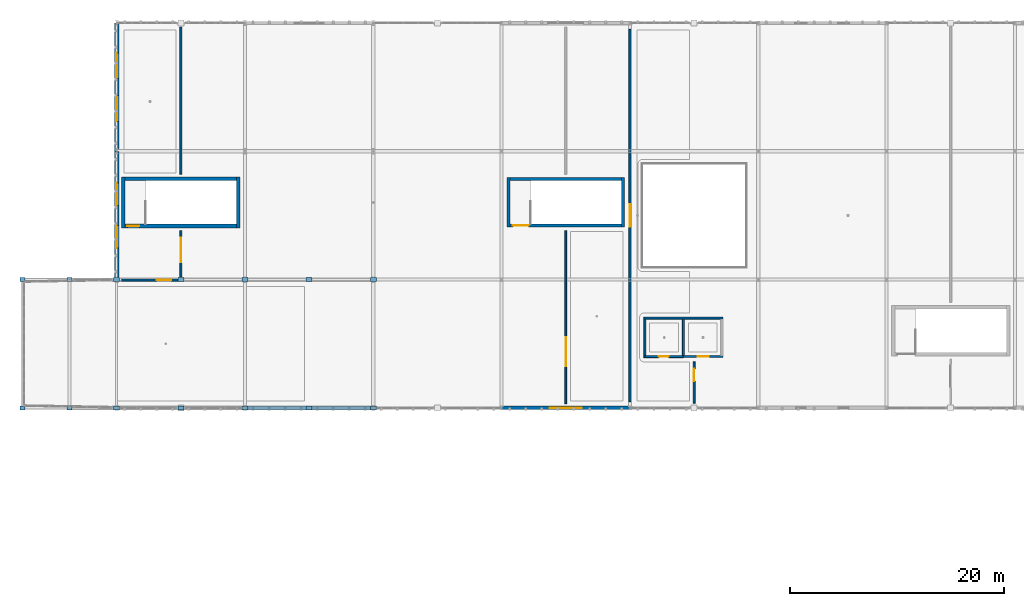
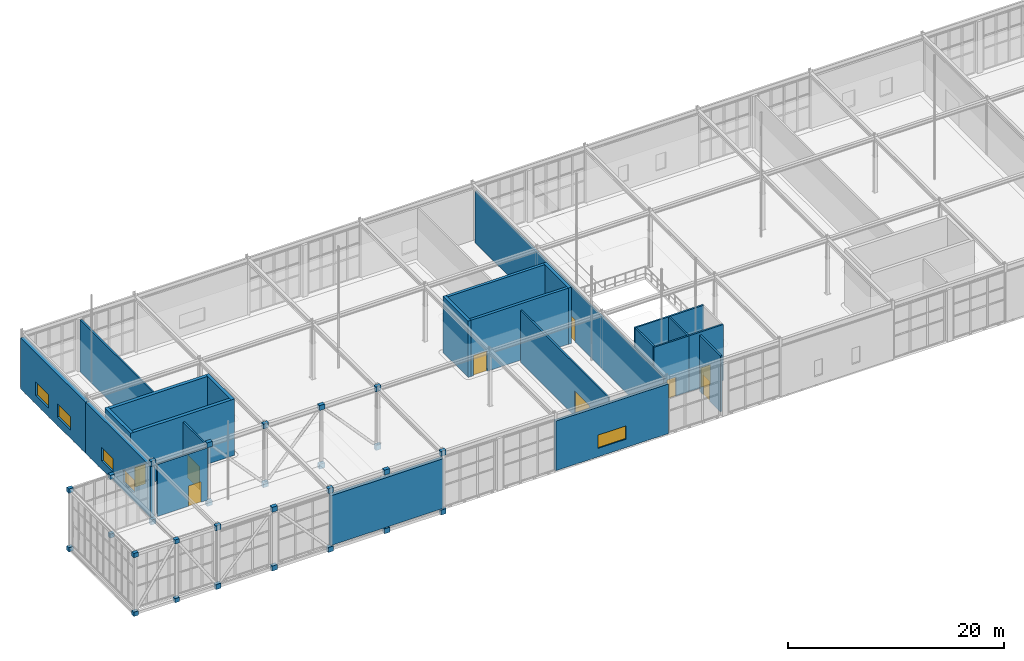
# One storey, part 37 of 62: 28 plates, 23 walls, 9 doors, 5 windows, 14 openings.
"""IFC4 building model written with IfcOpenShell, lengths in metres."""

from ifc_helpers import new_model, si_unit, direction, frame, frame_2d, origin, origin_2d, place, context, subcontext, project, spatial, rectangle, extrude, material, layer, layer_set, type_object, element, fill, save


model = new_model("IFC4")

# Units and contexts
model_context = context("Model", 3, precision=1e-05, world=origin(), true_north=direction((0.0, 1.0)))
body_context = subcontext(model_context, "Body", "Model", "MODEL_VIEW")
ifc_project = project(units=[si_unit("LENGTHUNIT", "METRE"), si_unit("AREAUNIT", "SQUARE_METRE"), si_unit("VOLUMEUNIT", "CUBIC_METRE"), si_unit("PLANEANGLEUNIT", "RADIAN"), si_unit("MASSUNIT", "GRAM", prefix="KILO")], contexts=[model_context])

# Site, building, storey
site_placement = place(None, origin())
site = spatial("IfcSite", under=ifc_project, at=site_placement, CompositionType="ELEMENT")
building_placement = place(site_placement, origin())
building = spatial("IfcBuilding", under=site, at=building_placement, Name="Zlatogorsky Bluff Art Gallery", CompositionType="ELEMENT")
storey_placement = place(building_placement, frame((0.0, 0.0, 16.800048828125)))
storey = spatial("IfcBuildingStorey", under=building, at=storey_placement, Name="L03", CompositionType="ELEMENT", Elevation=16.800048828125)

# Plates
ifc_material_1 = material(Name="Steel S355", Category="steel")
ifc_layer_1 = layer(ifc_material_1, 0.02490234375)
ifc_layer_set_1 = layer_set([ifc_layer_1], Name="Node Plate GP-01")
plate_type_1 = type_object("IfcPlateType", Name="Node Plate GP-01", PredefinedType="USERDEFINED", material=ifc_layer_set_1)
for number, where, z_axis, x_axis, name in (
    (1, (0.0, 84.0, -0.695068359375), (0.0, 0.0, 1.0), (1.0, 0.0, 0.0), "Cantilever truss bottom node assembly S.3"),
    (2, (0.0, 84.0, 5.9248046875), (0.0, 0.0, 1.0), (1.0, 0.0, 0.0), "Cantilever truss top node assembly S.3"),
    (3, (6.0, 84.0, -0.695068359375), (0.0, 0.0, 1.0), (1.0, 0.0, 0.0), "Cantilever truss bottom node assembly S.4"),
    (4, (6.0, 84.0, 5.9248046875), (0.0, 0.0, 1.0), (1.0, 0.0, 0.0), "Cantilever truss top node assembly S.4"),
    (5, (12.0, 84.0, -0.695068359375), (0.0, 0.0, 1.0), (1.0, 0.0, 0.0), "Cantilever truss bottom node assembly S.5"),
    (6, (12.0, 84.0, 5.9248046875), (0.0, 0.0, 1.0), (1.0, 0.0, 0.0), "Cantilever truss top node assembly S.5"),
    (7, (18.0, 84.0, -0.695068359375), (0.0, 0.0, 1.0), (1.0, 0.0, 0.0), "Cantilever truss bottom node assembly S.6"),
    (8, (18.0, 84.0, 5.9248046875), (0.0, 0.0, 1.0), (1.0, 0.0, 0.0), "Cantilever truss top node assembly S.6"),
    (9, (24.0, 84.0, -0.695068359375), (0.0, 0.0, 1.0), (1.0, 0.0, 0.0), "Cantilever truss bottom node assembly S.7"),
    (10, (24.0, 84.0, 5.9248046875), (0.0, 0.0, 1.0), (1.0, 0.0, 0.0), "Cantilever truss top node assembly S.7"),
    (11, (0.0, 96.0, -0.695068359375), (0.0, 0.0, 1.0), (1.0, 0.0, 0.0), "Cantilever truss bottom node assembly N.3"),
    (12, (0.0, 96.0, 5.9248046875), (0.0, 0.0, 1.0), (1.0, 0.0, 0.0), "Cantilever truss top node assembly N.3"),
    (13, (6.0, 96.0, -0.695068359375), (0.0, 0.0, 1.0), (1.0, 0.0, 0.0), "Cantilever truss bottom node assembly N.4"),
    (14, (6.0, 96.0, 5.9248046875), (0.0, 0.0, 1.0), (1.0, 0.0, 0.0), "Cantilever truss top node assembly N.4"),
    (15, (12.0, 96.0, -0.695068359375), (0.0, 0.0, 1.0), (1.0, 0.0, 0.0), "Cantilever truss bottom node assembly N.5"),
    (16, (12.0, 96.0, 5.9248046875), (0.0, 0.0, 1.0), (1.0, 0.0, 0.0), "Cantilever truss top node assembly N.5"),
    (17, (18.0, 96.0, -0.695068359375), (0.0, 0.0, 1.0), (1.0, 0.0, 0.0), "Cantilever truss bottom node assembly N.6"),
    (18, (18.0, 96.0, 5.9248046875), (0.0, 0.0, 1.0), (1.0, 0.0, 0.0), "Cantilever truss top node assembly N.6"),
    (19, (24.0, 96.0, -0.695068359375), (0.0, 0.0, 1.0), (1.0, 0.0, 0.0), "Cantilever truss bottom node assembly N.7"),
    (20, (24.0, 96.0, 5.9248046875), (0.0, 0.0, 1.0), (1.0, 0.0, 0.0), "Cantilever truss top node assembly N.7"),
):
    element("IfcPlate", number, at=place(storey_placement, frame(where, z_axis=z_axis, x_axis=x_axis)), inside=storey, type_object=plate_type_1, Name=name, ObjectType="GUSSET PLATE", PredefinedType="USERDEFINED", context=body_context, shape_type="SweptSolid", body=[
        extrude(rectangle(XDim=0.56005859375, YDim=0.3798828125, at=origin_2d()), origin(), (0.0, 0.0, 1.0), 0.56005859375),
    ])
ifc_layer_2 = layer(ifc_material_1, 0.02197265625)
ifc_layer_set_2 = layer_set([ifc_layer_2], Name="Node Plate GP-02")
plate_type_2 = type_object("IfcPlateType", Name="Node Plate GP-02", PredefinedType="USERDEFINED", material=ifc_layer_set_2)
for number, where, z_axis, x_axis, name in (
    (21, (-8.800048828125, 84.0, -0.655029296875), (0.0, 0.0, 1.0), (1.0, 0.0, 0.0), "Cantilever truss bottom node assembly S.1"),
    (22, (-8.800048828125, 84.0, 5.96484375), (0.0, 0.0, 1.0), (1.0, 0.0, 0.0), "Cantilever truss top node assembly S.1"),
    (23, (-4.39990234375, 84.0, -0.655029296875), (0.0, 0.0, 1.0), (1.0, 0.0, 0.0), "Cantilever truss bottom node assembly S.2"),
    (24, (-4.39990234375, 84.0, 5.96484375), (0.0, 0.0, 1.0), (1.0, 0.0, 0.0), "Cantilever truss top node assembly S.2"),
    (25, (-8.800048828125, 96.0, -0.655029296875), (0.0, 0.0, 1.0), (1.0, 0.0, 0.0), "Cantilever truss bottom node assembly N.1"),
    (26, (-8.800048828125, 96.0, 5.96484375), (0.0, 0.0, 1.0), (1.0, 0.0, 0.0), "Cantilever truss top node assembly N.1"),
    (27, (-4.39990234375, 96.0, -0.655029296875), (0.0, 0.0, 1.0), (1.0, 0.0, 0.0), "Cantilever truss bottom node assembly N.2"),
    (28, (-4.39990234375, 96.0, 5.96484375), (0.0, 0.0, 1.0), (1.0, 0.0, 0.0), "Cantilever truss top node assembly N.2"),
):
    element("IfcPlate", number, at=place(storey_placement, frame(where, z_axis=z_axis, x_axis=x_axis)), inside=storey, type_object=plate_type_2, Name=name, ObjectType="GUSSET PLATE", PredefinedType="USERDEFINED", context=body_context, shape_type="SweptSolid", body=[
        extrude(rectangle(XDim=0.47998046875, YDim=0.3798828125, at=origin_2d()), origin(), (0.0, 0.0, 1.0), 0.47998046875),
    ])

# Wall, openings, windows
ifc_material_2 = material(Name="Precast concrete C40/50", Category="concrete")
ifc_layer_3 = layer(ifc_material_2, 0.39990234375)
ifc_layer_set_3 = layer_set([ifc_layer_3], Name="Exterior Wall EW-02 400mm")
wall_type_1 = type_object("IfcWallType", Name="Exterior Wall EW-02 400mm", PredefinedType="SOLIDWALL", material=ifc_layer_set_3)
wall_1_placement = place(storey_placement, frame((0.0, 108.0, 0.0), z_axis=(0.0, 0.0, 1.0), x_axis=(0.0, -1.0, 0.0)))
wall_1 = element("IfcWall", 29, at=wall_1_placement, inside=storey, type_object=wall_type_1, Name="Exterior wall EW-02 L03 W 0.9", PredefinedType="SOLIDWALL", context=body_context, shape_type="SweptSolid", body=[
    extrude(rectangle(XDim=12.0, YDim=0.39990234375, at=frame_2d((6.0, 0.0))), origin(), (0.0, 0.0, 1.0), 5.75),
])
opening_1_placement = place(wall_1_placement, frame((2.949951171875, 0.0, 0.949951171875)))
opening_1 = element("IfcOpeningElement", 30, at=opening_1_placement, cuts=wall_1, Name="Opening WN-08", PredefinedType="OPENING", context=body_context, shape_type="SweptSolid", body=[
    extrude(rectangle(XDim=2.10009765625, YDim=1.5, at=frame_2d((1.050048828125, 0.75))), frame((0.0, 0.2099609375, 0.0), z_axis=(0.0, -1.0, 0.0), x_axis=(1.0, 0.0, 0.0)), (0.0, 0.0, 1.0), 0.419921875),
])
opening_2_placement = place(wall_1_placement, frame((6.949951171875, 0.0, 0.949951171875)))
opening_2 = element("IfcOpeningElement", 31, at=opening_2_placement, cuts=wall_1, Name="Opening WN-08", PredefinedType="OPENING", context=body_context, shape_type="SweptSolid", body=[
    extrude(rectangle(XDim=2.10009765625, YDim=1.5, at=frame_2d((1.050048828125, 0.75))), frame((0.0, 0.2099609375, 0.0), z_axis=(0.0, -1.0, 0.0), x_axis=(1.0, 0.0, 0.0)), (0.0, 0.0, 1.0), 0.419921875),
])
ifc_material_3 = material(Name="Bronze-Anodised Aluminium Triple Glazing", Category="aluminium")
window_type_1 = type_object("IfcWindowType", Name="Pointed-Reveal Window WN-08 2100x1500", PartitioningType="SINGLE_PANEL", PredefinedType="WINDOW", material=ifc_material_3)
window_1_placement = place(opening_1_placement, origin())
window_1 = element("IfcWindow", 32, at=window_1_placement, inside=storey, type_object=window_type_1, Name="Window WN-08 L03.W.0.9.1", OverallHeight=1.5, OverallWidth=2.10009765625, PartitioningType="SINGLE_PANEL", PredefinedType="WINDOW", context=body_context, shape_type="SweptSolid", body=[
    extrude(rectangle(XDim=2.10009765625, YDim=1.5, at=frame_2d((1.050048828125, 0.75))), frame((0.0, 0.030029296875, 0.0), z_axis=(0.0, -1.0, 0.0), x_axis=(1.0, 0.0, 0.0)), (0.0, 0.0, 1.0), 0.06005859375),
])
fill(opening_1, window_1)
window_2_placement = place(opening_2_placement, origin())
window_2 = element("IfcWindow", 33, at=window_2_placement, inside=storey, type_object=window_type_1, Name="Window WN-08 L03.W.0.9.2", OverallHeight=1.5, OverallWidth=2.10009765625, PartitioningType="SINGLE_PANEL", PredefinedType="WINDOW", context=body_context, shape_type="SweptSolid", body=[
    extrude(rectangle(XDim=2.10009765625, YDim=1.5, at=frame_2d((1.050048828125, 0.75))), frame((0.0, 0.030029296875, 0.0), z_axis=(0.0, -1.0, 0.0), x_axis=(1.0, 0.0, 0.0)), (0.0, 0.0, 1.0), 0.06005859375),
])
fill(opening_2, window_2)

# Wall
wall_2_placement = place(storey_placement, frame((12.0, 84.0, 0.0), z_axis=(0.0, 0.0, 1.0), x_axis=(1.0, 0.0, 0.0)))
element("IfcWall", 34, at=wall_2_placement, inside=storey, type_object=wall_type_1, Name="Exterior wall EW-02 L03 S 1.8", PredefinedType="SOLIDWALL", context=body_context, shape_type="SweptSolid", body=[
    extrude(rectangle(XDim=12.0, YDim=0.39990234375, at=frame_2d((6.0, 0.0))), origin(), (0.0, 0.0, 1.0), 5.599853515625),
])

# Wall, openings, windows
ifc_layer_4 = layer(ifc_material_2, 0.43994140625)
ifc_layer_set_4 = layer_set([ifc_layer_4], Name="Exterior Wall EW-03 440mm")
wall_type_2 = type_object("IfcWallType", Name="Exterior Wall EW-03 440mm", PredefinedType="SOLIDWALL", material=ifc_layer_set_4)
wall_3_placement = place(storey_placement, frame((0.0, 120.0, 0.0), z_axis=(0.0, 0.0, 1.0), x_axis=(0.0, -1.0, 0.0)))
wall_3 = element("IfcWall", 35, at=wall_3_placement, inside=storey, type_object=wall_type_2, Name="Exterior wall EW-03 L03 W 0.10", PredefinedType="SOLIDWALL", context=body_context, shape_type="SweptSolid", body=[
    extrude(rectangle(XDim=12.0, YDim=0.43994140625, at=frame_2d((6.0, 0.0))), origin(), (0.0, 0.0, 1.0), 5.75),
])
opening_3_placement = place(wall_3_placement, frame((2.800048828125, 0.0, 0.949951171875)))
opening_3 = element("IfcOpeningElement", 36, at=opening_3_placement, cuts=wall_3, Name="Opening WN-09", PredefinedType="OPENING", context=body_context, shape_type="SweptSolid", body=[
    extrude(rectangle(XDim=2.39990234375, YDim=1.5, at=frame_2d((1.199951171875, 0.75))), frame((0.0, 0.22998046875, 0.0), z_axis=(0.0, -1.0, 0.0), x_axis=(1.0, 0.0, 0.0)), (0.0, 0.0, 1.0), 0.4599609375),
])
opening_4_placement = place(wall_3_placement, frame((6.800048828125, 0.0, 0.949951171875)))
opening_4 = element("IfcOpeningElement", 37, at=opening_4_placement, cuts=wall_3, Name="Opening WN-09", PredefinedType="OPENING", context=body_context, shape_type="SweptSolid", body=[
    extrude(rectangle(XDim=2.39990234375, YDim=1.5, at=frame_2d((1.199951171875, 0.75))), frame((0.0, 0.22998046875, 0.0), z_axis=(0.0, -1.0, 0.0), x_axis=(1.0, 0.0, 0.0)), (0.0, 0.0, 1.0), 0.4599609375),
])
window_type_2 = type_object("IfcWindowType", Name="Pointed-Reveal Window WN-09 2400x1500", PartitioningType="SINGLE_PANEL", PredefinedType="WINDOW", material=ifc_material_3)
window_3_placement = place(opening_3_placement, origin())
window_3 = element("IfcWindow", 38, at=window_3_placement, inside=storey, type_object=window_type_2, Name="Window WN-09 L03.W.0.10.1", OverallHeight=1.5, OverallWidth=2.39990234375, PartitioningType="SINGLE_PANEL", PredefinedType="WINDOW", context=body_context, shape_type="SweptSolid", body=[
    extrude(rectangle(XDim=2.39990234375, YDim=1.5, at=frame_2d((1.199951171875, 0.75))), frame((0.0, 0.030029296875, 0.0), z_axis=(0.0, -1.0, 0.0), x_axis=(1.0, 0.0, 0.0)), (0.0, 0.0, 1.0), 0.06005859375),
])
fill(opening_3, window_3)
window_4_placement = place(opening_4_placement, origin())
window_4 = element("IfcWindow", 39, at=window_4_placement, inside=storey, type_object=window_type_2, Name="Window WN-09 L03.W.0.10.2", OverallHeight=1.5, OverallWidth=2.39990234375, PartitioningType="SINGLE_PANEL", PredefinedType="WINDOW", context=body_context, shape_type="SweptSolid", body=[
    extrude(rectangle(XDim=2.39990234375, YDim=1.5, at=frame_2d((1.199951171875, 0.75))), frame((0.0, 0.030029296875, 0.0), z_axis=(0.0, -1.0, 0.0), x_axis=(1.0, 0.0, 0.0)), (0.0, 0.0, 1.0), 0.06005859375),
])
fill(opening_4, window_4)

# Wall, opening, window
ifc_layer_5 = layer(ifc_material_2, 0.320068359375)
ifc_layer_set_5 = layer_set([ifc_layer_5], Name="Exterior Wall EW-04 320mm")
wall_type_3 = type_object("IfcWallType", Name="Exterior Wall EW-04 320mm", PredefinedType="SOLIDWALL", material=ifc_layer_set_5)
wall_4_placement = place(storey_placement, frame((36.0, 84.0, 0.0), z_axis=(0.0, 0.0, 1.0), x_axis=(1.0, 0.0, 0.0)))
wall_4 = element("IfcWall", 40, at=wall_4_placement, inside=storey, type_object=wall_type_3, Name="Exterior wall EW-04 L03 S 3.8", PredefinedType="SOLIDWALL", context=body_context, shape_type="SweptSolid", body=[
    extrude(rectangle(XDim=12.0, YDim=0.320068359375, at=frame_2d((6.0, 0.0))), origin(), (0.0, 0.0, 1.0), 5.599853515625),
])
opening_5_placement = place(wall_4_placement, frame((4.5, 0.0, 0.949951171875)))
opening_5 = element("IfcOpeningElement", 41, at=opening_5_placement, cuts=wall_4, Name="Opening WN-11", PredefinedType="OPENING", context=body_context, shape_type="SweptSolid", body=[
    extrude(rectangle(XDim=3.0, YDim=1.5, at=frame_2d((1.5, 0.75))), frame((0.0, 0.169921875, 0.0), z_axis=(0.0, -1.0, 0.0), x_axis=(1.0, 0.0, 0.0)), (0.0, 0.0, 1.0), 0.340087890625),
])
window_type_3 = type_object("IfcWindowType", Name="Pointed-Reveal Window WN-11 3000x1500", PartitioningType="SINGLE_PANEL", PredefinedType="WINDOW", material=ifc_material_3)
window_5_placement = place(opening_5_placement, origin())
window_5 = element("IfcWindow", 42, at=window_5_placement, inside=storey, type_object=window_type_3, Name="Window WN-11 L03.S.3.8.1", OverallHeight=1.5, OverallWidth=3.0, PartitioningType="SINGLE_PANEL", PredefinedType="WINDOW", context=body_context, shape_type="SweptSolid", body=[
    extrude(rectangle(XDim=3.0, YDim=1.5, at=frame_2d((1.5, 0.75))), frame((0.0, 0.030029296875, 0.0), z_axis=(0.0, -1.0, 0.0), x_axis=(1.0, 0.0, 0.0)), (0.0, 0.0, 1.0), 0.06005859375),
])
fill(opening_5, window_5)

# Wall
ifc_material_4 = material(Name="Concrete C30/37", Category="concrete")
ifc_layer_6 = layer(ifc_material_4, 0.179931640625)
ifc_layer_set_6 = layer_set([ifc_layer_6], Name="Interior Wall IW-02 180mm")
wall_type_4 = type_object("IfcWallType", Name="Interior Wall IW-02 180mm", PredefinedType="PARTITIONING", material=ifc_layer_set_6)
wall_5_placement = place(storey_placement, frame((49.31005859375, 92.39990234375, 0.0), z_axis=(0.0, 0.0, 1.0), x_axis=(1.0, 0.0, 0.0)))
element("IfcWall", 43, at=wall_5_placement, inside=storey, type_object=wall_type_4, Name="Restroom enclosure partition IW-L03-WC-N", PredefinedType="PARTITIONING", context=body_context, shape_type="SweptSolid", body=[
    extrude(rectangle(XDim=7.3798828125, YDim=0.179931640625, at=frame_2d((3.68994140625, 0.0))), origin(), (0.0, 0.0, 1.0), 6.31005859375),
])

# Wall, opening, door
wall_6_placement = place(storey_placement, frame((49.31005859375, 88.800048828125, 0.0), z_axis=(0.0, 0.0, 1.0), x_axis=(1.0, 0.0, 0.0)))
wall_6 = element("IfcWall", 44, at=wall_6_placement, inside=storey, type_object=wall_type_4, Name="Restroom enclosure partition IW-L03-WC-S1", PredefinedType="PARTITIONING", context=body_context, shape_type="SweptSolid", body=[
    extrude(rectangle(XDim=3.68994140625, YDim=0.179931640625, at=frame_2d((1.844970703125, 0.0))), origin(), (0.0, 0.0, 1.0), 6.31005859375),
])
opening_6_placement = place(wall_6_placement, frame((1.364990234375, 0.0, 0.0)))
opening_6 = element("IfcOpeningElement", 45, at=opening_6_placement, cuts=wall_6, Name="Opening ID-02", PredefinedType="OPENING", context=body_context, shape_type="SweptSolid", body=[
    extrude(rectangle(XDim=0.9599609375, YDim=2.14990234375, at=frame_2d((0.47998046875, 1.074951171875))), frame((0.0, 0.099853515625, 0.0), z_axis=(0.0, -1.0, 0.0), x_axis=(1.0, 0.0, 0.0)), (0.0, 0.0, 1.0), 0.199951171875),
])
ifc_material_5 = material(Name="Anodised Aluminium and Laminated Timber", Category="wood")
door_type_1 = type_object("IfcDoorType", Name="Interior Door ID-02 960x2150", OperationType="SINGLE_SWING_LEFT", PredefinedType="DOOR", material=ifc_material_5)
door_1_placement = place(opening_6_placement, origin())
door_1 = element("IfcDoor", 46, at=door_1_placement, inside=storey, type_object=door_type_1, Name="Door ID-02 L03-WC", OperationType="SINGLE_SWING_LEFT", OverallHeight=2.14990234375, OverallWidth=0.9599609375, PredefinedType="DOOR", context=body_context, shape_type="SweptSolid", body=[
    extrude(rectangle(XDim=0.9599609375, YDim=2.14990234375, at=frame_2d((0.47998046875, 1.074951171875))), frame((0.0, 0.02490234375, 0.0), z_axis=(0.0, -1.0, 0.0), x_axis=(1.0, 0.0, 0.0)), (0.0, 0.0, 1.0), 0.050048828125),
])
fill(opening_6, door_1)

wall_7_placement = place(storey_placement, frame((53.0, 88.800048828125, 0.0), z_axis=(0.0, 0.0, 1.0), x_axis=(1.0, 0.0, 0.0)))
wall_7 = element("IfcWall", 47, at=wall_7_placement, inside=storey, type_object=wall_type_4, Name="Restroom enclosure partition IW-L03-WC-S2", PredefinedType="PARTITIONING", context=body_context, shape_type="SweptSolid", body=[
    extrude(rectangle(XDim=3.68994140625, YDim=0.179931640625, at=frame_2d((1.844970703125, 0.0))), origin(), (0.0, 0.0, 1.0), 6.31005859375),
])
opening_7_placement = place(wall_7_placement, frame((1.320068359375, 0.0, 0.0)))
opening_7 = element("IfcOpeningElement", 48, at=opening_7_placement, cuts=wall_7, Name="Opening ID-04", PredefinedType="OPENING", context=body_context, shape_type="SweptSolid", body=[
    extrude(rectangle(XDim=1.050048828125, YDim=2.199951171875, at=frame_2d((0.52490234375, 1.10009765625))), frame((0.0, 0.099853515625, 0.0), z_axis=(0.0, -1.0, 0.0), x_axis=(1.0, 0.0, 0.0)), (0.0, 0.0, 1.0), 0.199951171875),
])
door_type_2 = type_object("IfcDoorType", Name="Interior Door ID-04 1050x2200", OperationType="SINGLE_SWING_LEFT", PredefinedType="DOOR", material=ifc_material_5)
door_2_placement = place(opening_7_placement, origin())
door_2 = element("IfcDoor", 49, at=door_2_placement, inside=storey, type_object=door_type_2, Name="Door ID-04 L03-AWC", OperationType="SINGLE_SWING_RIGHT", OverallHeight=2.199951171875, OverallWidth=1.050048828125, PredefinedType="DOOR", context=body_context, shape_type="SweptSolid", body=[
    extrude(rectangle(XDim=1.050048828125, YDim=2.199951171875, at=frame_2d((0.52490234375, 1.10009765625))), frame((0.0, 0.02490234375, 0.0), z_axis=(0.0, -1.0, 0.0), x_axis=(1.0, 0.0, 0.0)), (0.0, 0.0, 1.0), 0.050048828125),
])
fill(opening_7, door_2)

# Walls
for number, where, z_axis, x_axis, name in (
    (50, (49.39990234375, 88.89990234375, 0.0), (0.0, 0.0, 1.0), (0.0, 1.0, 0.0), "Restroom enclosure partition IW-L03-WC-W"),
    (51, (53.0, 88.89990234375, 0.0), (0.0, 0.0, 1.0), (0.0, 1.0, 0.0), "Restroom enclosure partition IW-L03-WC-M"),
):
    element("IfcWall", number, at=place(storey_placement, frame(where, z_axis=z_axis, x_axis=x_axis)), inside=storey, type_object=wall_type_4, Name=name, PredefinedType="PARTITIONING", context=body_context, shape_type="SweptSolid", body=[
        extrude(rectangle(XDim=3.400146484375, YDim=0.179931640625, at=frame_2d((1.7001953125, 0.0))), origin(), (0.0, 0.0, 1.0), 6.31005859375),
    ])

# Wall, opening, door
wall_8_placement = place(storey_placement, frame((0.4580078125, 95.949951171875, 0.0), z_axis=(0.0, 0.0, 1.0), x_axis=(1.0, 0.0, 0.0)))
wall_8 = element("IfcWall", 52, at=wall_8_placement, inside=storey, type_object=wall_type_4, Name="Partition IW-02 between L03-LK and L03-G1-11", PredefinedType="PARTITIONING", context=body_context, shape_type="SweptSolid", body=[
    extrude(rectangle(XDim=5.30419921875, YDim=0.179931640625, at=frame_2d((2.652099609375, 0.0))), origin(), (0.0, 0.0, 1.0), 5.869873046875),
])
opening_8_placement = place(wall_8_placement, frame((3.303955078125, 0.0, 0.0)))
opening_8 = element("IfcOpeningElement", 53, at=opening_8_placement, cuts=wall_8, Name="Opening ID-08", PredefinedType="OPENING", context=body_context, shape_type="SweptSolid", body=[
    extrude(rectangle(XDim=1.35009765625, YDim=2.300048828125, at=frame_2d((0.675048828125, 1.14990234375))), frame((0.0, 0.099853515625, 0.0), z_axis=(0.0, -1.0, 0.0), x_axis=(1.0, 0.0, 0.0)), (0.0, 0.0, 1.0), 0.199951171875),
])
door_type_3 = type_object("IfcDoorType", Name="Interior Door ID-08 1350x2300", OperationType="DOUBLE_SWING_LEFT", PredefinedType="DOOR", material=ifc_material_5)
door_3_placement = place(opening_8_placement, origin())
door_3 = element("IfcDoor", 54, at=door_3_placement, inside=storey, type_object=door_type_3, Name="Door ID-08 L03-LK-L03-G1-11", OperationType="DOUBLE_SWING_LEFT", OverallHeight=2.300048828125, OverallWidth=1.35009765625, PredefinedType="DOOR", context=body_context, shape_type="SweptSolid", body=[
    extrude(rectangle(XDim=1.35009765625, YDim=2.300048828125, at=frame_2d((0.675048828125, 1.14990234375))), frame((0.0, 0.02490234375, 0.0), z_axis=(0.0, -1.0, 0.0), x_axis=(1.0, 0.0, 0.0)), (0.0, 0.0, 1.0), 0.050048828125),
])
fill(opening_8, door_3)

wall_9_placement = place(storey_placement, frame((6.0, 96.260009765625, 0.0), z_axis=(0.0, 0.0, 1.0), x_axis=(0.0, 1.0, 0.0)))
wall_9 = element("IfcWall", 55, at=wall_9_placement, inside=storey, type_object=wall_type_4, Name="Partition IW-02 between L03-G1-11 and L03-G1-12-S1", PredefinedType="PARTITIONING", context=body_context, shape_type="SweptSolid", body=[
    extrude(rectangle(XDim=4.320068359375, YDim=0.179931640625, at=frame_2d((2.16015625, 0.0))), origin(), (0.0, 0.0, 1.0), 5.869873046875),
])
opening_9_placement = place(wall_9_placement, frame((1.3701171875, 0.0, 0.0)))
opening_9 = element("IfcOpeningElement", 56, at=opening_9_placement, cuts=wall_9, Name="Opening ID-14", PredefinedType="OPENING", context=body_context, shape_type="SweptSolid", body=[
    extrude(rectangle(XDim=2.300048828125, YDim=2.60009765625, at=frame_2d((1.14990234375, 1.300048828125))), frame((0.0, 0.099853515625, 0.0), z_axis=(0.0, -1.0, 0.0), x_axis=(1.0, 0.0, 0.0)), (0.0, 0.0, 1.0), 0.199951171875),
])
door_type_4 = type_object("IfcDoorType", Name="Interior Door ID-14 2300x2600", OperationType="DOUBLE_DOOR_SINGLE_SWING", PredefinedType="DOOR", material=ifc_material_5)
door_4_placement = place(opening_9_placement, origin())
door_4 = element("IfcDoor", 57, at=door_4_placement, inside=storey, type_object=door_type_4, Name="Door ID-14 L03-G1-11-L03-G1-12-S1", OperationType="DOUBLE_DOOR_SINGLE_SWING", OverallHeight=2.60009765625, OverallWidth=2.300048828125, PredefinedType="DOOR", context=body_context, shape_type="SweptSolid", body=[
    extrude(rectangle(XDim=2.300048828125, YDim=2.60009765625, at=frame_2d((1.14990234375, 1.300048828125))), frame((0.0, 0.02490234375, 0.0), z_axis=(0.0, -1.0, 0.0), x_axis=(1.0, 0.0, 0.0)), (0.0, 0.0, 1.0), 0.050048828125),
])
fill(opening_9, door_4)

# Wall
wall_10_placement = place(storey_placement, frame((6.0, 105.8701171875, 0.0), z_axis=(0.0, 0.0, 1.0), x_axis=(0.0, 1.0, 0.0)))
element("IfcWall", 58, at=wall_10_placement, inside=storey, type_object=wall_type_4, Name="Partition IW-02 between L03-G1-11 and L03-G1-12-S2", PredefinedType="PARTITIONING", context=body_context, shape_type="SweptSolid", body=[
    extrude(rectangle(XDim=13.75, YDim=0.179931640625, at=frame_2d((6.875, 0.0))), origin(), (0.0, 0.0, 1.0), 5.869873046875),
])

# Wall, opening, door
wall_11_placement = place(storey_placement, frame((42.0, 84.3798828125, 0.0), z_axis=(0.0, 0.0, 1.0), x_axis=(0.0, 1.0, 0.0)))
wall_11 = element("IfcWall", 59, at=wall_11_placement, inside=storey, type_object=wall_type_4, Name="Partition IW-02 between L03-G1-12 and L03-G1-13-S1", PredefinedType="PARTITIONING", context=body_context, shape_type="SweptSolid", body=[
    extrude(rectangle(XDim=16.2001953125, YDim=0.179931640625, at=frame_2d((8.10009765625, 0.0))), origin(), (0.0, 0.0, 1.0), 5.869873046875),
])
opening_10_placement = place(wall_11_placement, frame((3.510009765625, 0.0, 0.0)))
opening_10 = element("IfcOpeningElement", 60, at=opening_10_placement, cuts=wall_11, Name="Opening ID-16", PredefinedType="OPENING", context=body_context, shape_type="SweptSolid", body=[
    extrude(rectangle(XDim=2.699951171875, YDim=2.85009765625, at=frame_2d((1.35009765625, 1.425048828125))), frame((0.0, 0.099853515625, 0.0), z_axis=(0.0, -1.0, 0.0), x_axis=(1.0, 0.0, 0.0)), (0.0, 0.0, 1.0), 0.199951171875),
])
door_type_5 = type_object("IfcDoorType", Name="Interior Door ID-16 2700x2850", OperationType="DOUBLE_DOOR_SINGLE_SWING", PredefinedType="DOOR", material=ifc_material_5)
door_5_placement = place(opening_10_placement, origin())
door_5 = element("IfcDoor", 61, at=door_5_placement, inside=storey, type_object=door_type_5, Name="Door ID-16 L03-G1-12-L03-G1-13-S1", OperationType="DOUBLE_DOOR_SINGLE_SWING", OverallHeight=2.85009765625, OverallWidth=2.699951171875, PredefinedType="DOOR", context=body_context, shape_type="SweptSolid", body=[
    extrude(rectangle(XDim=2.699951171875, YDim=2.85009765625, at=frame_2d((1.35009765625, 1.425048828125))), frame((0.0, 0.02490234375, 0.0), z_axis=(0.0, -1.0, 0.0), x_axis=(1.0, 0.0, 0.0)), (0.0, 0.0, 1.0), 0.050048828125),
])
fill(opening_10, door_5)

wall_12_placement = place(storey_placement, frame((48.0, 84.594482421875, 0.0), z_axis=(0.0, 0.0, 1.0), x_axis=(0.0, 1.0, 0.0)))
wall_12 = element("IfcWall", 62, at=wall_12_placement, inside=storey, type_object=wall_type_4, Name="Partition IW-02 between L03-G1-13 and L03-G2-11", PredefinedType="PARTITIONING", context=body_context, shape_type="SweptSolid", body=[
    extrude(rectangle(XDim=34.81103515625, YDim=0.179931640625, at=frame_2d((17.405517578125, 0.0))), origin(), (0.0, 0.0, 1.0), 5.820068359375),
])
opening_11_placement = place(wall_12_placement, frame((16.35595703125, 0.0, 0.0)))
opening_11 = element("IfcOpeningElement", 63, at=opening_11_placement, cuts=wall_12, Name="Opening ID-13", PredefinedType="OPENING", context=body_context, shape_type="SweptSolid", body=[
    extrude(rectangle(XDim=2.10009765625, YDim=2.5, at=frame_2d((1.050048828125, 1.25))), frame((0.0, 0.099853515625, 0.0), z_axis=(0.0, -1.0, 0.0), x_axis=(1.0, 0.0, 0.0)), (0.0, 0.0, 1.0), 0.199951171875),
])
door_type_6 = type_object("IfcDoorType", Name="Interior Door ID-13 2100x2500", OperationType="DOUBLE_DOOR_SINGLE_SWING", PredefinedType="DOOR", material=ifc_material_5)
door_6_placement = place(opening_11_placement, origin())
door_6 = element("IfcDoor", 64, at=door_6_placement, inside=storey, type_object=door_type_6, Name="Door ID-13 L03-G1-13-L03-G2-11", OperationType="DOUBLE_DOOR_SINGLE_SWING", OverallHeight=2.5, OverallWidth=2.10009765625, PredefinedType="DOOR", context=body_context, shape_type="SweptSolid", body=[
    extrude(rectangle(XDim=2.10009765625, YDim=2.5, at=frame_2d((1.050048828125, 1.25))), frame((0.0, 0.02490234375, 0.0), z_axis=(0.0, -1.0, 0.0), x_axis=(1.0, 0.0, 0.0)), (0.0, 0.0, 1.0), 0.050048828125),
])
fill(opening_11, door_6)

wall_13_placement = place(storey_placement, frame((54.0, 84.449951171875, 0.0), z_axis=(0.0, 0.0, 1.0), x_axis=(0.0, 1.0, 0.0)))
wall_13 = element("IfcWall", 65, at=wall_13_placement, inside=storey, type_object=wall_type_4, Name="Partition IW-02 between L03-G2-11 and L03-G2-12-S1", PredefinedType="PARTITIONING", context=body_context, shape_type="SweptSolid", body=[
    extrude(rectangle(XDim=3.860107421875, YDim=0.179931640625, at=frame_2d((1.93017578125, 0.0))), origin(), (0.0, 0.0, 1.0), 6.31005859375),
])
opening_12_placement = place(wall_13_placement, frame((2.06005859375, 0.0, 0.0)))
opening_12 = element("IfcOpeningElement", 66, at=opening_12_placement, cuts=wall_13, Name="Opening ID-06", PredefinedType="OPENING", context=body_context, shape_type="SweptSolid", body=[
    extrude(rectangle(XDim=1.14990234375, YDim=2.25, at=frame_2d((0.574951171875, 1.125))), frame((0.0, 0.099853515625, 0.0), z_axis=(0.0, -1.0, 0.0), x_axis=(1.0, 0.0, 0.0)), (0.0, 0.0, 1.0), 0.199951171875),
])
door_type_7 = type_object("IfcDoorType", Name="Interior Door ID-06 1150x2250", OperationType="SINGLE_SWING_LEFT", PredefinedType="DOOR", material=ifc_material_5)
door_7_placement = place(opening_12_placement, origin())
door_7 = element("IfcDoor", 67, at=door_7_placement, inside=storey, type_object=door_type_7, Name="Door ID-06 L03-G2-11-L03-G2-12-S1", OperationType="SINGLE_SWING_LEFT", OverallHeight=2.25, OverallWidth=1.14990234375, PredefinedType="DOOR", context=body_context, shape_type="SweptSolid", body=[
    extrude(rectangle(XDim=1.14990234375, YDim=2.25, at=frame_2d((0.574951171875, 1.125))), frame((0.0, 0.02490234375, 0.0), z_axis=(0.0, -1.0, 0.0), x_axis=(1.0, 0.0, 0.0)), (0.0, 0.0, 1.0), 0.050048828125),
])
fill(opening_12, door_7)

ifc_material_6 = material(Name="Concrete C35/45", Category="concrete")
ifc_layer_7 = layer(ifc_material_6, 0.300048828125)
ifc_layer_set_7 = layer_set([ifc_layer_7], Name="Interior Wall SW-01 300mm")
wall_type_5 = type_object("IfcWallType", Name="Interior Wall SW-01 300mm", PredefinedType="SHEAR", material=ifc_layer_set_7)
wall_14_placement = place(storey_placement, frame((36.5, 101.050048828125, 0.0), z_axis=(0.0, 0.0, 1.0), x_axis=(1.0, 0.0, 0.0)))
wall_14 = element("IfcWall", 68, at=wall_14_placement, inside=storey, type_object=wall_type_5, Name="Stair ST-07 enclosure wall L03 W0", PredefinedType="SHEAR", context=body_context, shape_type="SweptSolid", body=[
    extrude(rectangle(XDim=11.0, YDim=0.300048828125, at=frame_2d((5.5, 0.0))), origin(), (0.0, 0.0, 1.0), 6.349853515625),
])
opening_13_placement = place(wall_14_placement, frame((0.550048828125, 0.0, 0.0)))
opening_13 = element("IfcOpeningElement", 69, at=opening_13_placement, cuts=wall_14, Name="Opening FD-03", PredefinedType="OPENING", context=body_context, shape_type="SweptSolid", body=[
    extrude(rectangle(XDim=1.47998046875, YDim=2.300048828125, at=frame_2d((0.739990234375, 1.14990234375))), frame((0.0, 0.159912109375, 0.0), z_axis=(0.0, -1.0, 0.0), x_axis=(1.0, 0.0, 0.0)), (0.0, 0.0, 1.0), 0.320068359375),
])
door_type_8 = type_object("IfcDoorType", Name="Interior Door FD-03 1480x2300", OperationType="DOUBLE_DOOR_SINGLE_SWING", PredefinedType="DOOR", material=ifc_material_5)
door_8_placement = place(opening_13_placement, origin())
door_8 = element("IfcDoor", 70, at=door_8_placement, inside=storey, type_object=door_type_8, Name="Stair ST-07 fire door L03", OperationType="DOUBLE_DOOR_SINGLE_SWING", OverallHeight=2.300048828125, OverallWidth=1.47998046875, PredefinedType="DOOR", context=body_context, shape_type="SweptSolid", body=[
    extrude(rectangle(XDim=1.47998046875, YDim=2.300048828125, at=frame_2d((0.739990234375, 1.14990234375))), frame((0.0, 0.02490234375, 0.0), z_axis=(0.0, -1.0, 0.0), x_axis=(1.0, 0.0, 0.0)), (0.0, 0.0, 1.0), 0.050048828125),
])
fill(opening_13, door_8)

# Walls
wall_15_placement = place(storey_placement, frame((47.35009765625, 100.89990234375, 0.0), z_axis=(0.0, 0.0, 1.0), x_axis=(0.0, 1.0, 0.0)))
element("IfcWall", 71, at=wall_15_placement, inside=storey, type_object=wall_type_5, Name="Stair ST-07 enclosure wall L03 FEND", PredefinedType="SHEAR", context=body_context, shape_type="SweptSolid", body=[
    extrude(rectangle(XDim=4.650146484375, YDim=0.300048828125, at=frame_2d((2.3251953125, 0.0))), origin(), (0.0, 0.0, 1.0), 6.349853515625),
])
wall_16_placement = place(storey_placement, frame((47.5, 105.39990234375, 0.0), z_axis=(0.0, 0.0, 1.0), x_axis=(-1.0, 0.0, 0.0)))
element("IfcWall", 72, at=wall_16_placement, inside=storey, type_object=wall_type_5, Name="Stair ST-07 enclosure wall L03 W1", PredefinedType="SHEAR", context=body_context, shape_type="SweptSolid", body=[
    extrude(rectangle(XDim=11.0, YDim=0.300048828125, at=frame_2d((5.5, 0.0))), origin(), (0.0, 0.0, 1.0), 6.349853515625),
])
wall_17_placement = place(storey_placement, frame((36.64990234375, 105.550048828125, 0.0), z_axis=(0.0, 0.0, 1.0), x_axis=(0.0, -1.0, 0.0)))
element("IfcWall", 73, at=wall_17_placement, inside=storey, type_object=wall_type_5, Name="Stair ST-07 enclosure wall L03 LEND", PredefinedType="SHEAR", context=body_context, shape_type="SweptSolid", body=[
    extrude(rectangle(XDim=4.650146484375, YDim=0.300048828125, at=frame_2d((2.3251953125, 0.0))), origin(), (0.0, 0.0, 1.0), 6.349853515625),
])

# Wall, opening, door
ifc_layer_8 = layer(ifc_material_6, 0.35009765625)
ifc_layer_set_8 = layer_set([ifc_layer_8], Name="Interior Wall SW-02 350mm")
wall_type_6 = type_object("IfcWallType", Name="Interior Wall SW-02 350mm", PredefinedType="SHEAR", material=ifc_layer_set_8)
wall_18_placement = place(storey_placement, frame((0.449951171875, 101.02490234375, 0.0), z_axis=(0.0, 0.0, 1.0), x_axis=(1.0, 0.0, 0.0)))
wall_18 = element("IfcWall", 74, at=wall_18_placement, inside=storey, type_object=wall_type_6, Name="Stair ST-05 enclosure wall L03 W0", PredefinedType="SHEAR", context=body_context, shape_type="SweptSolid", body=[
    extrude(rectangle(XDim=11.10009765625, YDim=0.35009765625, at=frame_2d((5.550048828125, 0.0))), origin(), (0.0, 0.0, 1.0), 6.349853515625),
])
opening_14_placement = place(wall_18_placement, frame((0.550048828125, 0.0, 0.0)))
opening_14 = element("IfcOpeningElement", 75, at=opening_14_placement, cuts=wall_18, Name="Opening FD-01", PredefinedType="OPENING", context=body_context, shape_type="SweptSolid", body=[
    extrude(rectangle(XDim=1.1201171875, YDim=2.199951171875, at=frame_2d((0.56005859375, 1.10009765625))), frame((0.0, 0.18505859375, 0.0), z_axis=(0.0, -1.0, 0.0), x_axis=(1.0, 0.0, 0.0)), (0.0, 0.0, 1.0), 0.3701171875),
])
door_type_9 = type_object("IfcDoorType", Name="Interior Door FD-01 1120x2200", OperationType="SINGLE_SWING_LEFT", PredefinedType="DOOR", material=ifc_material_5)
door_9_placement = place(opening_14_placement, origin())
door_9 = element("IfcDoor", 76, at=door_9_placement, inside=storey, type_object=door_type_9, Name="Stair ST-05 fire door L03", OperationType="SINGLE_SWING_RIGHT", OverallHeight=2.199951171875, OverallWidth=1.1201171875, PredefinedType="DOOR", context=body_context, shape_type="SweptSolid", body=[
    extrude(rectangle(XDim=1.1201171875, YDim=2.199951171875, at=frame_2d((0.56005859375, 1.10009765625))), frame((0.0, 0.02490234375, 0.0), z_axis=(0.0, -1.0, 0.0), x_axis=(1.0, 0.0, 0.0)), (0.0, 0.0, 1.0), 0.050048828125),
])
fill(opening_14, door_9)

# Walls
wall_19_placement = place(storey_placement, frame((11.375, 100.85009765625, 0.0), z_axis=(0.0, 0.0, 1.0), x_axis=(0.0, 1.0, 0.0)))
element("IfcWall", 77, at=wall_19_placement, inside=storey, type_object=wall_type_6, Name="Stair ST-05 enclosure wall L03 FEND", PredefinedType="SHEAR", context=body_context, shape_type="SweptSolid", body=[
    extrude(rectangle(XDim=4.75, YDim=0.35009765625, at=frame_2d((2.375, 0.0))), origin(), (0.0, 0.0, 1.0), 6.349853515625),
])
wall_20_placement = place(storey_placement, frame((11.550048828125, 105.425048828125, 0.0), z_axis=(0.0, 0.0, 1.0), x_axis=(-1.0, 0.0, 0.0)))
element("IfcWall", 78, at=wall_20_placement, inside=storey, type_object=wall_type_6, Name="Stair ST-05 enclosure wall L03 W1", PredefinedType="SHEAR", context=body_context, shape_type="SweptSolid", body=[
    extrude(rectangle(XDim=11.10009765625, YDim=0.35009765625, at=frame_2d((5.550048828125, 0.0))), origin(), (0.0, 0.0, 1.0), 6.349853515625),
])
wall_21_placement = place(storey_placement, frame((0.625, 105.60009765625, 0.0), z_axis=(0.0, 0.0, 1.0), x_axis=(0.0, -1.0, 0.0)))
element("IfcWall", 79, at=wall_21_placement, inside=storey, type_object=wall_type_6, Name="Stair ST-05 enclosure wall L03 LEND", PredefinedType="SHEAR", context=body_context, shape_type="SweptSolid", body=[
    extrude(rectangle(XDim=4.75, YDim=0.35009765625, at=frame_2d((2.375, 0.0))), origin(), (0.0, 0.0, 1.0), 6.349853515625),
])

save(model, "model.ifc")
